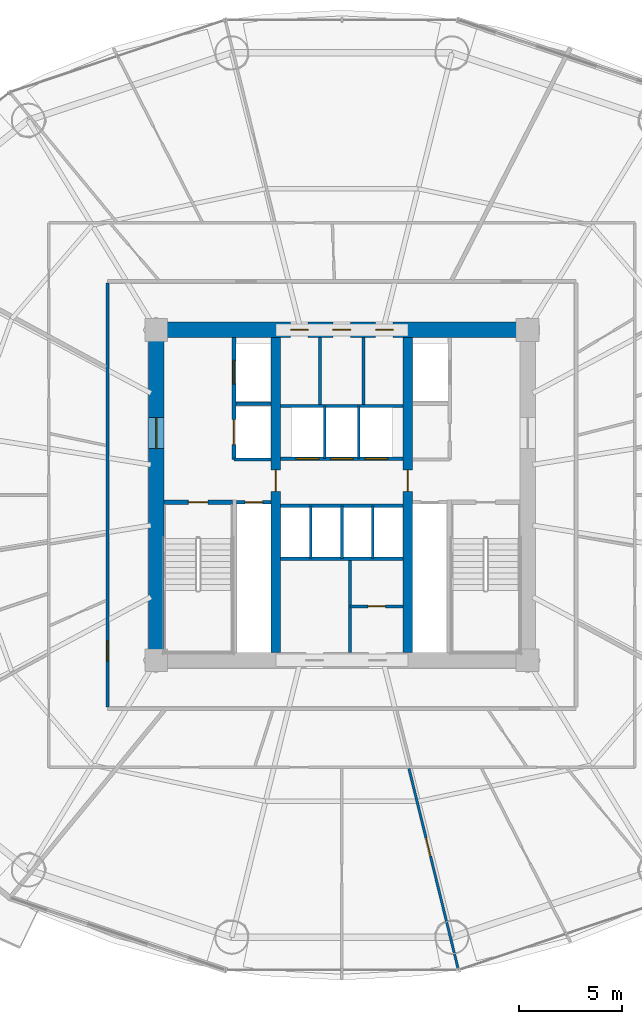
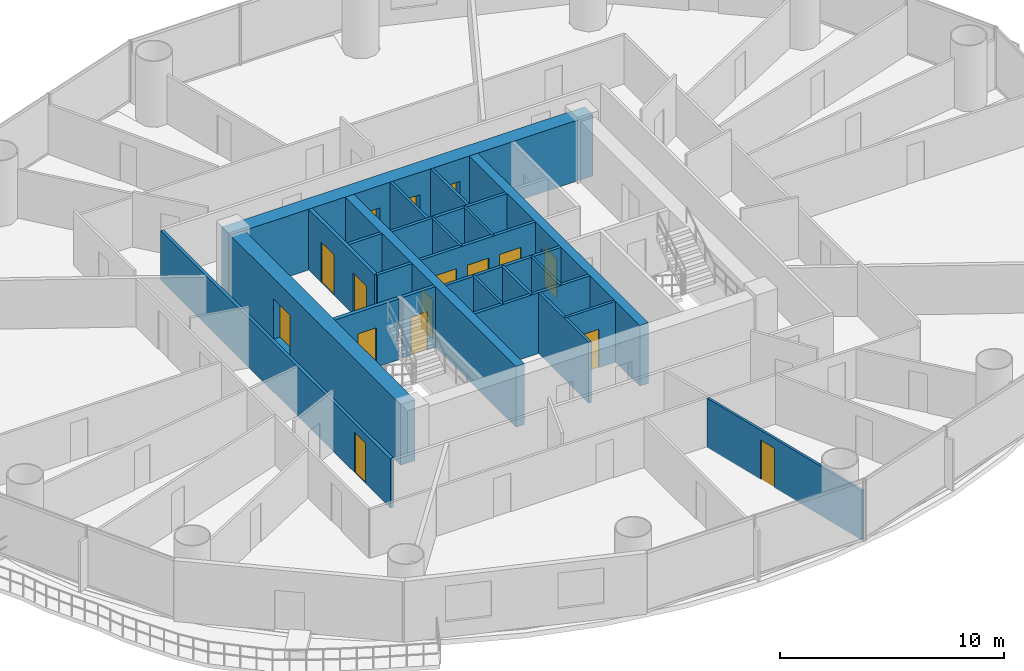
# One storey, part 23 of 29: 24 walls, 16 doors, 16 openings.
"""IFC4 building model written with IfcOpenShell, lengths in metres."""

from ifc_helpers import new_model, si_unit, direction, frame, frame_2d, origin, place, context, subcontext, project, spatial, rectangle, extrude, source, transform, mapped, material, layer, layer_set, type_object, element, fill, save


model = new_model("IFC4")

# Units and contexts
model_context = context("Model", 3, precision=1e-05, world=origin(), true_north=direction((-0.2419218956, 0.970295726276)))
body_context = subcontext(model_context, "Body", "Model", "MODEL_VIEW")
ifc_project = project(units=[si_unit("LENGTHUNIT", "METRE"), si_unit("AREAUNIT", "SQUARE_METRE"), si_unit("VOLUMEUNIT", "CUBIC_METRE"), si_unit("PLANEANGLEUNIT", "RADIAN"), si_unit("MASSUNIT", "GRAM", prefix="KILO")], contexts=[model_context])

# Site, building, storey
site_placement = place(None, origin())
site = spatial("IfcSite", under=ifc_project, at=site_placement, CompositionType="ELEMENT")
building_placement = place(site_placement, origin())
building = spatial("IfcBuilding", under=site, at=building_placement, Name="Cobrevalo Terracotta Tower", CompositionType="ELEMENT")
storey_placement = place(building_placement, frame((0.0, 0.0, 52.800048828125)))
storey = spatial("IfcBuildingStorey", under=building, at=storey_placement, Name="L13", CompositionType="ELEMENT", Elevation=52.800048828125)

# Wall, openings, doors
ifc_material_1 = material(Name="Concrete C60", Category="concrete")
ifc_layer_1 = layer(ifc_material_1, 0.75)
ifc_layer_set_1 = layer_set([ifc_layer_1], Name="Concrete C60")
wall_type_1 = type_object("IfcWallType", Name="Core shear wall 750 mm Concrete C60", PredefinedType="SHEAR", material=ifc_layer_set_1)
wall_1_placement = place(storey_placement, frame((28.625, 34.800048828125, 0.0), z_axis=(0.0, 0.0, 1.0), x_axis=(1.0, 0.0, 0.0)))
wall_1 = element("IfcWall", 1, at=wall_1_placement, inside=storey, type_object=wall_type_1, Name="L13 north core shear wall", PredefinedType="SHEAR", context=body_context, shape_type="SweptSolid", body=[
    extrude(rectangle(XDim=18.75, YDim=0.75, at=frame_2d((9.375, 0.0))), origin(), (0.0, 0.0, 1.0), 3.320068359375),
])
opening_1_placement = place(wall_1_placement, frame((6.887451171875, 0.0, 0.0)))
opening_1 = element("IfcOpeningElement", 2, at=opening_1_placement, cuts=wall_1, Name="Opening ID-22", PredefinedType="OPENING", context=body_context, shape_type="SweptSolid", body=[
    extrude(rectangle(XDim=0.85009765625, YDim=2.10009765625, at=frame_2d((0.425048828125, 1.050048828125))), frame((0.0, 0.385009765625, 0.0), z_axis=(0.0, -1.0, 0.0), x_axis=(1.0, 0.0, 0.0)), (0.0, 0.0, 1.0), 0.77001953125),
])
opening_2_placement = place(wall_1_placement, frame((8.945068359375, 0.0, 0.0)))
opening_2 = element("IfcOpeningElement", 3, at=opening_2_placement, cuts=wall_1, Name="Opening ID-07", PredefinedType="OPENING", context=body_context, shape_type="SweptSolid", body=[
    extrude(rectangle(XDim=0.860107421875, YDim=2.10009765625, at=frame_2d((0.43017578125, 1.050048828125))), frame((0.0, 0.385009765625, 0.0), z_axis=(0.0, -1.0, 0.0), x_axis=(1.0, 0.0, 0.0)), (0.0, 0.0, 1.0), 0.77001953125),
])
opening_3_placement = place(wall_1_placement, frame((11.012451171875, 0.0, 0.0)))
opening_3 = element("IfcOpeningElement", 4, at=opening_3_placement, cuts=wall_1, Name="Opening ID-22", PredefinedType="OPENING", context=body_context, shape_type="SweptSolid", body=[
    extrude(rectangle(XDim=0.85009765625, YDim=2.10009765625, at=frame_2d((0.425048828125, 1.050048828125))), frame((0.0, 0.385009765625, 0.0), z_axis=(0.0, -1.0, 0.0), x_axis=(1.0, 0.0, 0.0)), (0.0, 0.0, 1.0), 0.77001953125),
])
ifc_material_2 = material(Name="Powder-coated steel", Category="steel")
door_type_1 = type_object("IfcDoorType", Name="Riser shaft & meter closet fire access door 850x2100 EI 60", OperationType="NOTDEFINED", PredefinedType="DOOR", material=ifc_material_2)
shared_shape_1 = source(origin(), body_context, "Body", "SweptSolid", [
    extrude(rectangle(XDim=0.85009765625, YDim=2.10009765625, at=frame_2d((0.425048828125, 1.050048828125))), frame((0.0, 0.02490234375, 0.0), z_axis=(0.0, -1.0, 0.0), x_axis=(1.0, 0.0, 0.0)), (0.0, 0.0, 1.0), 0.050048828125),
])
door_1_placement = place(opening_1_placement, frame((0.85009765625, 0.0, 0.0), z_axis=(0.0, 0.0, 1.0), x_axis=(-1.0, 0.0, 0.0)))
door_1 = element("IfcDoor", 5, at=door_1_placement, inside=storey, type_object=door_type_1, Name="L13 core north service door Housekeeping Linen Store", OperationType="SINGLE_SWING_LEFT", OverallHeight=2.10009765625, OverallWidth=0.85009765625, PredefinedType="DOOR", context=body_context, shape_type="MappedRepresentation", body=[
    mapped(shared_shape_1, transform((0.0, 0.0, 0.0), scale=1.0)),
])
fill(opening_1, door_1)
door_2_placement = place(opening_3_placement, frame((0.85009765625, 0.0, 0.0), z_axis=(0.0, 0.0, 1.0), x_axis=(-1.0, 0.0, 0.0)))
door_2 = element("IfcDoor", 6, at=door_2_placement, inside=storey, type_object=door_type_1, Name="L13 core north service door Floor BMS Mechanical Plant", OperationType="SINGLE_SWING_LEFT", OverallHeight=2.10009765625, OverallWidth=0.85009765625, PredefinedType="DOOR", context=body_context, shape_type="MappedRepresentation", body=[
    mapped(shared_shape_1, transform((0.0, 0.0, 0.0), scale=1.0)),
])
fill(opening_3, door_2)
ifc_material_3 = material(Name="Fire-rated moisture-sealed timber", Category="wood")
door_type_2 = type_object("IfcDoorType", Name="Core & podium fire-rated accessible WC door 860x2100 EI 60", OperationType="NOTDEFINED", PredefinedType="DOOR", material=ifc_material_3)
shared_shape_2 = source(origin(), body_context, "Body", "SweptSolid", [
    extrude(rectangle(XDim=0.860107421875, YDim=2.10009765625, at=frame_2d((0.43017578125, 1.050048828125))), frame((0.0, 0.02490234375, 0.0), z_axis=(0.0, -1.0, 0.0), x_axis=(1.0, 0.0, 0.0)), (0.0, 0.0, 1.0), 0.050048828125),
])
door_3_placement = place(opening_2_placement, frame((0.860107421875, 0.0, 0.0), z_axis=(0.0, 0.0, 1.0), x_axis=(-1.0, 0.0, 0.0)))
door_3 = element("IfcDoor", 7, at=door_3_placement, inside=storey, type_object=door_type_2, Name="L13 core north service door Floor Service Toilet WC", OperationType="SINGLE_SWING_RIGHT", OverallHeight=2.10009765625, OverallWidth=0.860107421875, PredefinedType="DOOR", context=body_context, shape_type="MappedRepresentation", body=[
    mapped(shared_shape_2, transform((0.0, 0.0, 0.0), scale=1.0)),
])
fill(opening_2, door_3)

# Wall, opening, door
wall_2_placement = place(storey_placement, frame((29.0, 19.175048828125, 0.0), z_axis=(0.0, 0.0, 1.0), x_axis=(0.0, 1.0, 0.0)))
wall_2 = element("IfcWall", 8, at=wall_2_placement, inside=storey, type_object=wall_type_1, Name="L13 west core shear wall", PredefinedType="SHEAR", context=body_context, shape_type="SweptSolid", body=[
    extrude(rectangle(XDim=15.25, YDim=0.75, at=frame_2d((7.625, 0.0))), origin(), (0.0, 0.0, 1.0), 3.320068359375),
])
opening_4_placement = place(wall_2_placement, frame((9.875, 0.0, 0.0)))
opening_4 = element("IfcOpeningElement", 9, at=opening_4_placement, cuts=wall_2, Name="Opening ID-14", PredefinedType="OPENING", context=body_context, shape_type="SweptSolid", body=[
    extrude(rectangle(XDim=1.5, YDim=2.199951171875, at=frame_2d((0.75, 1.10009765625))), frame((0.0, 0.385009765625, 0.0), z_axis=(0.0, -1.0, 0.0), x_axis=(1.0, 0.0, 0.0)), (0.0, 0.0, 1.0), 0.77001953125),
])
ifc_material_4 = material(Name="Galvanized fire-rated steel", Category="steel")
door_type_3 = type_object("IfcDoorType", Name="Core cross-lobby double fire door 1500x2200 EI 90", OperationType="NOTDEFINED", PredefinedType="DOOR", material=ifc_material_4)
shared_shape_3 = source(origin(), body_context, "Body", "SweptSolid", [
    extrude(rectangle(XDim=1.5, YDim=2.199951171875, at=frame_2d((0.75, 1.10009765625))), frame((0.0, 0.02490234375, 0.0), z_axis=(0.0, -1.0, 0.0), x_axis=(1.0, 0.0, 0.0)), (0.0, 0.0, 1.0), 0.050048828125),
])
door_4_placement = place(opening_4_placement, origin())
door_4 = element("IfcDoor", 10, at=door_4_placement, inside=storey, type_object=door_type_3, Name="L13 west firefighting lobby entrance door", OperationType="DOUBLE_DOOR_SINGLE_SWING", OverallHeight=2.199951171875, OverallWidth=1.5, PredefinedType="DOOR", context=body_context, shape_type="MappedRepresentation", body=[
    mapped(shared_shape_3, transform((0.0, 0.0, 0.0), scale=1.0)),
])
fill(opening_4, door_4)

# Walls
ifc_material_5 = material(Name="Gypsum board on steel stud", Category="steel")
ifc_layer_2 = layer(ifc_material_5, 0.159912109375)
ifc_layer_set_2 = layer_set([ifc_layer_2], Name="Gypsum board on steel stud")
wall_type_2 = type_object("IfcWallType", Name="Fire-rated corridor acoustic partition wall 160 mm", PredefinedType="PARTITIONING", material=ifc_layer_set_2)
wall_3_placement = place(storey_placement, frame((32.860107421875, 31.219970703125, 0.0), z_axis=(0.0, 0.0, 1.0), x_axis=(1.0, 0.0, 0.0)))
element("IfcWall", 11, at=wall_3_placement, inside=storey, type_object=wall_type_2, Name="L13 interior partition IW-L13-FF1-M", PredefinedType="PARTITIONING", context=body_context, shape_type="SweptSolid", body=[
    extrude(rectangle(XDim=1.71484375, YDim=0.159912109375, at=frame_2d((0.857421875, 0.0))), origin(), (0.0, 0.0, 1.0), 3.320068359375),
])
wall_4_placement = place(storey_placement, frame((32.77001953125, 28.52001953125, 0.0), z_axis=(0.0, 0.0, 1.0), x_axis=(1.0, 0.0, 0.0)))
element("IfcWall", 12, at=wall_4_placement, inside=storey, type_object=wall_type_2, Name="L13 interior partition IW-L13-FF1-S", PredefinedType="PARTITIONING", context=body_context, shape_type="SweptSolid", body=[
    extrude(rectangle(XDim=1.804931640625, YDim=0.159912109375, at=frame_2d((0.90234375, 0.0))), origin(), (0.0, 0.0, 1.0), 3.320068359375),
])

# Wall, openings, doors
wall_5_placement = place(storey_placement, frame((35.02490234375, 28.56005859375, 0.0), z_axis=(0.0, 0.0, 1.0), x_axis=(1.0, 0.0, 0.0)))
wall_5 = element("IfcWall", 13, at=wall_5_placement, inside=storey, type_object=wall_type_2, Name="L13 interior partition IW-L13-LB-S", PredefinedType="PARTITIONING", context=body_context, shape_type="SweptSolid", body=[
    extrude(rectangle(XDim=5.9501953125, YDim=0.159912109375, at=frame_2d((2.97509765625, 0.0))), origin(), (0.0, 0.0, 1.0), 3.320068359375),
])
opening_5_placement = place(wall_5_placement, frame((0.760009765625, 0.0, 0.0)))
opening_5 = element("IfcOpeningElement", 14, at=opening_5_placement, cuts=wall_5, Name="Opening LD-01", PredefinedType="OPENING", context=body_context, shape_type="SweptSolid", body=[
    extrude(rectangle(XDim=1.10009765625, YDim=2.199951171875, at=frame_2d((0.550048828125, 1.10009765625))), frame((0.0, 0.08984375, 0.0), z_axis=(0.0, -1.0, 0.0), x_axis=(1.0, 0.0, 0.0)), (0.0, 0.0, 1.0), 0.179931640625),
])
opening_6_placement = place(wall_5_placement, frame((2.425048828125, 0.0, 0.0)))
opening_6 = element("IfcOpeningElement", 15, at=opening_6_placement, cuts=wall_5, Name="Opening LD-01", PredefinedType="OPENING", context=body_context, shape_type="SweptSolid", body=[
    extrude(rectangle(XDim=1.10009765625, YDim=2.199951171875, at=frame_2d((0.550048828125, 1.10009765625))), frame((0.0, 0.08984375, 0.0), z_axis=(0.0, -1.0, 0.0), x_axis=(1.0, 0.0, 0.0)), (0.0, 0.0, 1.0), 0.179931640625),
])
opening_7_placement = place(wall_5_placement, frame((4.090087890625, 0.0, 0.0)))
opening_7 = element("IfcOpeningElement", 16, at=opening_7_placement, cuts=wall_5, Name="Opening LD-01", PredefinedType="OPENING", context=body_context, shape_type="SweptSolid", body=[
    extrude(rectangle(XDim=1.10009765625, YDim=2.199951171875, at=frame_2d((0.550048828125, 1.10009765625))), frame((0.0, 0.08984375, 0.0), z_axis=(0.0, -1.0, 0.0), x_axis=(1.0, 0.0, 0.0)), (0.0, 0.0, 1.0), 0.179931640625),
])
ifc_material_6 = material(Name="Brushed stainless steel", Category="steel")
door_type_4 = type_object("IfcDoorType", Name="Passenger lift landing bi-parting sliding door 1100x2200 EI 90", OperationType="DOUBLE_DOOR_SLIDING", PredefinedType="DOOR", material=ifc_material_6)
shared_shape_4 = source(origin(), body_context, "Body", "SweptSolid", [
    extrude(rectangle(XDim=1.10009765625, YDim=2.199951171875, at=frame_2d((0.550048828125, 1.10009765625))), frame((0.0, 0.02490234375, 0.0), z_axis=(0.0, -1.0, 0.0), x_axis=(1.0, 0.0, 0.0)), (0.0, 0.0, 1.0), 0.050048828125),
])
door_5_placement = place(opening_5_placement, origin())
door_5 = element("IfcDoor", 17, at=door_5_placement, inside=storey, type_object=door_type_4, Name="L13 lift landing door PL-L1", OperationType="DOUBLE_DOOR_SLIDING", OverallHeight=2.199951171875, OverallWidth=1.10009765625, PredefinedType="DOOR", context=body_context, shape_type="MappedRepresentation", body=[
    mapped(shared_shape_4, transform((0.0, 0.0, 0.0), scale=1.0)),
])
fill(opening_5, door_5)
door_6_placement = place(opening_6_placement, origin())
door_6 = element("IfcDoor", 18, at=door_6_placement, inside=storey, type_object=door_type_4, Name="L13 lift landing door PL-L2", OperationType="DOUBLE_DOOR_SLIDING", OverallHeight=2.199951171875, OverallWidth=1.10009765625, PredefinedType="DOOR", context=body_context, shape_type="MappedRepresentation", body=[
    mapped(shared_shape_4, transform((0.0, 0.0, 0.0), scale=1.0)),
])
fill(opening_6, door_6)
door_7_placement = place(opening_7_placement, origin())
door_7 = element("IfcDoor", 19, at=door_7_placement, inside=storey, type_object=door_type_4, Name="L13 lift landing door PL-L3", OperationType="DOUBLE_DOOR_SLIDING", OverallHeight=2.199951171875, OverallWidth=1.10009765625, PredefinedType="DOOR", context=body_context, shape_type="MappedRepresentation", body=[
    mapped(shared_shape_4, transform((0.0, 0.0, 0.0), scale=1.0)),
])
fill(opening_7, door_7)

# Walls
for number, where, z_axis, x_axis, name in (
    (20, (35.02490234375, 31.1201171875, 0.0), (0.0, 0.0, 1.0), (1.0, 0.0, 0.0), "L13 interior partition IW-L13-LB-N"),
    (21, (35.02490234375, 26.280029296875, 0.0), (0.0, 0.0, 1.0), (1.0, 0.0, 0.0), "L13 interior partition IW-L13-MB-N"),
    (22, (35.02490234375, 23.719970703125, 0.0), (0.0, 0.0, 1.0), (1.0, 0.0, 0.0), "L13 interior partition IW-L13-MB-S"),
):
    element("IfcWall", number, at=place(storey_placement, frame(where, z_axis=z_axis, x_axis=x_axis)), inside=storey, type_object=wall_type_2, Name=name, PredefinedType="PARTITIONING", context=body_context, shape_type="SweptSolid", body=[
        extrude(rectangle(XDim=5.9501953125, YDim=0.159912109375, at=frame_2d((2.97509765625, 0.0))), origin(), (0.0, 0.0, 1.0), 3.320068359375),
    ])

# Wall, opening, door
wall_6_placement = place(storey_placement, frame((26.64501953125, 16.52490234375, 0.0), z_axis=(0.0, 0.0, 1.0), x_axis=(0.0, 1.0, 0.0)))
wall_6 = element("IfcWall", 23, at=wall_6_placement, inside=storey, type_object=wall_type_2, Name="L13 interior partition IW-L13-COR-W", PredefinedType="PARTITIONING", context=body_context, shape_type="SweptSolid", body=[
    extrude(rectangle(XDim=20.550048828125, YDim=0.159912109375, at=frame_2d((10.27490234375, 0.0))), origin(), (0.0, 0.0, 1.0), 2.68798828125),
])
opening_8_placement = place(wall_6_placement, frame((2.224365234375, 0.0, 0.0)))
opening_8 = element("IfcOpeningElement", 24, at=opening_8_placement, cuts=wall_6, Name="Opening ID-05", PredefinedType="OPENING", context=body_context, shape_type="SweptSolid", body=[
    extrude(rectangle(XDim=0.97998046875, YDim=2.199951171875, at=frame_2d((0.489990234375, 1.10009765625))), frame((0.0, 0.08984375, 0.0), z_axis=(0.0, -1.0, 0.0), x_axis=(1.0, 0.0, 0.0)), (0.0, 0.0, 1.0), 0.179931640625),
])
ifc_material_7 = material(Name="Solid hardwood timber", Category="wood")
door_type_5 = type_object("IfcDoorType", Name="Residence entrance fire-rated acoustic timber door 980x2200 EI 60", OperationType="NOTDEFINED", PredefinedType="DOOR", material=ifc_material_7)
shared_shape_5 = source(origin(), body_context, "Body", "SweptSolid", [
    extrude(rectangle(XDim=0.97998046875, YDim=2.199951171875, at=frame_2d((0.489990234375, 1.10009765625))), frame((0.0, 0.02490234375, 0.0), z_axis=(0.0, -1.0, 0.0), x_axis=(1.0, 0.0, 0.0)), (0.0, 0.0, 1.0), 0.050048828125),
])
door_8_placement = place(opening_8_placement, origin())
door_8 = element("IfcDoor", 25, at=door_8_placement, inside=storey, type_object=door_type_5, Name="Flat L13C fire-rated apartment entrance door", OperationType="SINGLE_SWING_LEFT", OverallHeight=2.199951171875, OverallWidth=0.97998046875, PredefinedType="DOOR", context=body_context, shape_type="MappedRepresentation", body=[
    mapped(shared_shape_5, transform((0.0, 0.0, 0.0), scale=1.0)),
])
fill(opening_8, door_8)

ifc_layer_3 = layer(ifc_material_5, 0.179931640625)
ifc_layer_set_3 = layer_set([ifc_layer_3], Name="Gypsum board on steel stud")
wall_type_3 = type_object("IfcWallType", Name="Fire-rated shaft & lobby acoustic partition wall 180 mm", PredefinedType="PARTITIONING", material=ifc_layer_set_3)
wall_7_placement = place(storey_placement, frame((32.89990234375, 26.449951171875, 0.0), z_axis=(0.0, 0.0, 1.0), x_axis=(1.0, 0.0, 0.0)))
wall_7 = element("IfcWall", 26, at=wall_7_placement, inside=storey, type_object=wall_type_3, Name="L13 interior partition IW-L13-RSW-N", PredefinedType="PARTITIONING", context=body_context, shape_type="SweptSolid", body=[
    extrude(rectangle(XDim=1.675048828125, YDim=0.179931640625, at=frame_2d((0.83740234375, 0.0))), origin(), (0.0, 0.0, 1.0), 3.320068359375),
])
opening_9_placement = place(wall_7_placement, frame((0.41259765625, 0.0, 0.0)))
opening_9 = element("IfcOpeningElement", 27, at=opening_9_placement, cuts=wall_7, Name="Opening ID-22", PredefinedType="OPENING", context=body_context, shape_type="SweptSolid", body=[
    extrude(rectangle(XDim=0.85009765625, YDim=2.10009765625, at=frame_2d((0.425048828125, 1.050048828125))), frame((0.0, 0.10009765625, 0.0), z_axis=(0.0, -1.0, 0.0), x_axis=(1.0, 0.0, 0.0)), (0.0, 0.0, 1.0), 0.199951171875),
])
door_9_placement = place(opening_9_placement, origin())
door_9 = element("IfcDoor", 28, at=door_9_placement, inside=storey, type_object=door_type_1, Name="L13 riser access door RSW", OperationType="SINGLE_SWING_LEFT", OverallHeight=2.10009765625, OverallWidth=0.85009765625, PredefinedType="DOOR", context=body_context, shape_type="MappedRepresentation", body=[
    mapped(shared_shape_1, transform((0.0, 0.0, 0.0), scale=1.0)),
])
fill(opening_9, door_9)

# Wall, openings, doors
wall_8_placement = place(storey_placement, frame((32.77001953125, 28.52001953125, 0.0), z_axis=(0.0, 0.0, 1.0), x_axis=(0.0, 1.0, 0.0)))
wall_8 = element("IfcWall", 29, at=wall_8_placement, inside=storey, type_object=wall_type_3, Name="L13 interior partition IW-L13-FF1-W", PredefinedType="PARTITIONING", context=body_context, shape_type="SweptSolid", body=[
    extrude(rectangle(XDim=5.905029296875, YDim=0.179931640625, at=frame_2d((2.95263671875, 0.0))), origin(), (0.0, 0.0, 1.0), 3.320068359375),
])
opening_10_placement = place(wall_8_placement, frame((3.655029296875, 0.0, 0.0)))
opening_10 = element("IfcOpeningElement", 30, at=opening_10_placement, cuts=wall_8, Name="Opening LD-02", PredefinedType="OPENING", context=body_context, shape_type="SweptSolid", body=[
    extrude(rectangle(XDim=1.14990234375, YDim=2.199951171875, at=frame_2d((0.574951171875, 1.10009765625))), frame((0.0, 0.10009765625, 0.0), z_axis=(0.0, -1.0, 0.0), x_axis=(1.0, 0.0, 0.0)), (0.0, 0.0, 1.0), 0.199951171875),
])
opening_11_placement = place(wall_8_placement, frame((0.72998046875, 0.0, 0.0)))
opening_11 = element("IfcOpeningElement", 31, at=opening_11_placement, cuts=wall_8, Name="Opening LD-03", PredefinedType="OPENING", context=body_context, shape_type="SweptSolid", body=[
    extrude(rectangle(XDim=1.199951171875, YDim=2.25, at=frame_2d((0.60009765625, 1.125))), frame((0.0, 0.10009765625, 0.0), z_axis=(0.0, -1.0, 0.0), x_axis=(1.0, 0.0, 0.0)), (0.0, 0.0, 1.0), 0.199951171875),
])
door_type_6 = type_object("IfcDoorType", Name="Firefighting lift landing bi-parting sliding door 1150x2200 EI 120", OperationType="DOUBLE_DOOR_SLIDING", PredefinedType="DOOR", material=ifc_material_6)
shared_shape_6 = source(origin(), body_context, "Body", "SweptSolid", [
    extrude(rectangle(XDim=1.14990234375, YDim=2.199951171875, at=frame_2d((0.574951171875, 1.10009765625))), frame((0.0, 0.02490234375, 0.0), z_axis=(0.0, -1.0, 0.0), x_axis=(1.0, 0.0, 0.0)), (0.0, 0.0, 1.0), 0.050048828125),
])
door_10_placement = place(opening_10_placement, origin())
door_10 = element("IfcDoor", 32, at=door_10_placement, inside=storey, type_object=door_type_6, Name="L13 lift landing door FF-1", OperationType="DOUBLE_DOOR_SLIDING", OverallHeight=2.199951171875, OverallWidth=1.14990234375, PredefinedType="DOOR", context=body_context, shape_type="MappedRepresentation", body=[
    mapped(shared_shape_6, transform((0.0, 0.0, 0.0), scale=1.0)),
])
fill(opening_10, door_10)
door_type_7 = type_object("IfcDoorType", Name="Service lift landing bi-parting sliding door 1200x2250 EI 120", OperationType="DOUBLE_DOOR_SLIDING", PredefinedType="DOOR", material=ifc_material_6)
shared_shape_7 = source(origin(), body_context, "Body", "SweptSolid", [
    extrude(rectangle(XDim=1.199951171875, YDim=2.25, at=frame_2d((0.60009765625, 1.125))), frame((0.0, 0.02490234375, 0.0), z_axis=(0.0, -1.0, 0.0), x_axis=(1.0, 0.0, 0.0)), (0.0, 0.0, 1.0), 0.050048828125),
])
door_11_placement = place(opening_11_placement, origin())
door_11 = element("IfcDoor", 33, at=door_11_placement, inside=storey, type_object=door_type_7, Name="L13 lift landing door SV-1", OperationType="DOUBLE_DOOR_SLIDING", OverallHeight=2.25, OverallWidth=1.199951171875, PredefinedType="DOOR", context=body_context, shape_type="MappedRepresentation", body=[
    mapped(shared_shape_7, transform((0.0, 0.0, 0.0), scale=1.0)),
])
fill(opening_11, door_11)

# Walls
ifc_material_8 = material(Name="Autoclaved aerated concrete block", Category="concrete")
ifc_layer_4 = layer(ifc_material_8, 0.1201171875)
ifc_layer_set_4 = layer_set([ifc_layer_4], Name="Autoclaved aerated concrete block")
wall_type_4 = type_object("IfcWallType", Name="Fire-rated wet-room & core service partition 120 mm", PredefinedType="PARTITIONING", material=ifc_layer_set_4)
for number, where, z_axis, x_axis, name in (
    (34, (37.169921875, 28.56005859375, 0.0), (0.0, 0.0, 1.0), (0.0, 1.0, 0.0), "L13 interior partition IW-L13-LB-D1"),
    (35, (38.830078125, 28.56005859375, 0.0), (0.0, 0.0, 1.0), (0.0, 1.0, 0.0), "L13 interior partition IW-L13-LB-D2"),
    (36, (36.5, 23.719970703125, 0.0), (0.0, 0.0, 1.0), (0.0, 1.0, 0.0), "L13 interior partition IW-L13-MB-D1"),
    (37, (39.5, 23.719970703125, 0.0), (0.0, 0.0, 1.0), (0.0, 1.0, 0.0), "L13 interior partition IW-L13-MB-D3"),
):
    element("IfcWall", number, at=place(storey_placement, frame(where, z_axis=z_axis, x_axis=x_axis)), inside=storey, type_object=wall_type_4, Name=name, PredefinedType="PARTITIONING", context=body_context, shape_type="SweptSolid", body=[
        extrude(rectangle(XDim=2.56005859375, YDim=0.1201171875, at=frame_2d((1.280029296875, 0.0))), origin(), (0.0, 0.0, 1.0), 3.320068359375),
    ])

# Wall, opening, door
ifc_material_9 = material(Name="Concrete C55", Category="concrete")
ifc_layer_5 = layer(ifc_material_9, 0.449951171875)
ifc_layer_set_5 = layer_set([ifc_layer_5], Name="Concrete C55")
wall_type_5 = type_object("IfcWallType", Name="Internal core shear web wall 450 mm Concrete C55", PredefinedType="SHEAR", material=ifc_layer_set_5)
wall_9_placement = place(storey_placement, frame((34.800048828125, 19.175048828125, 0.0), z_axis=(0.0, 0.0, 1.0), x_axis=(0.0, 1.0, 0.0)))
wall_9 = element("IfcWall", 38, at=wall_9_placement, inside=storey, type_object=wall_type_5, Name="L13 internal core shear wall WEB-W", PredefinedType="SHEAR", context=body_context, shape_type="SweptSolid", body=[
    extrude(rectangle(XDim=15.25, YDim=0.449951171875, at=frame_2d((7.625, 0.0))), origin(), (0.0, 0.0, 1.0), 3.320068359375),
])
opening_12_placement = place(wall_9_placement, frame((7.800048828125, 0.0, 0.0)))
opening_12 = element("IfcOpeningElement", 39, at=opening_12_placement, cuts=wall_9, Name="Opening ID-11", PredefinedType="OPENING", context=body_context, shape_type="SweptSolid", body=[
    extrude(rectangle(XDim=1.050048828125, YDim=2.14990234375, at=frame_2d((0.52490234375, 1.074951171875))), frame((0.0, 0.23486328125, 0.0), z_axis=(0.0, -1.0, 0.0), x_axis=(1.0, 0.0, 0.0)), (0.0, 0.0, 1.0), 0.469970703125),
])
door_type_8 = type_object("IfcDoorType", Name="Core concourse cross fire door 1050x2150 EI 90", OperationType="NOTDEFINED", PredefinedType="DOOR", material=ifc_material_4)
shared_shape_8 = source(origin(), body_context, "Body", "SweptSolid", [
    extrude(rectangle(XDim=1.050048828125, YDim=2.14990234375, at=frame_2d((0.52490234375, 1.074951171875))), frame((0.0, 0.02490234375, 0.0), z_axis=(0.0, -1.0, 0.0), x_axis=(1.0, 0.0, 0.0)), (0.0, 0.0, 1.0), 0.050048828125),
])
door_12_placement = place(opening_12_placement, origin())
door_12 = element("IfcDoor", 40, at=door_12_placement, inside=storey, type_object=door_type_8, Name="L13 west core concourse cross door", OperationType="SINGLE_SWING_LEFT", OverallHeight=2.14990234375, OverallWidth=1.050048828125, PredefinedType="DOOR", context=body_context, shape_type="MappedRepresentation", body=[
    mapped(shared_shape_8, transform((0.0, 0.0, 0.0), scale=1.0)),
])
fill(opening_12, door_12)

wall_10_placement = place(storey_placement, frame((41.199951171875, 19.175048828125, 0.0), z_axis=(0.0, 0.0, 1.0), x_axis=(0.0, 1.0, 0.0)))
wall_10 = element("IfcWall", 41, at=wall_10_placement, inside=storey, type_object=wall_type_5, Name="L13 internal core shear wall WEB-E", PredefinedType="SHEAR", context=body_context, shape_type="SweptSolid", body=[
    extrude(rectangle(XDim=15.25, YDim=0.449951171875, at=frame_2d((7.625, 0.0))), origin(), (0.0, 0.0, 1.0), 3.320068359375),
])
opening_13_placement = place(wall_10_placement, frame((7.800048828125, 0.0, 0.0)))
opening_13 = element("IfcOpeningElement", 42, at=opening_13_placement, cuts=wall_10, Name="Opening ID-11", PredefinedType="OPENING", context=body_context, shape_type="SweptSolid", body=[
    extrude(rectangle(XDim=1.050048828125, YDim=2.14990234375, at=frame_2d((0.52490234375, 1.074951171875))), frame((0.0, 0.23486328125, 0.0), z_axis=(0.0, -1.0, 0.0), x_axis=(1.0, 0.0, 0.0)), (0.0, 0.0, 1.0), 0.469970703125),
])
door_13_placement = place(opening_13_placement, frame((1.050048828125, 0.0, 0.0), z_axis=(0.0, 0.0, 1.0), x_axis=(-1.0, 0.0, 0.0)))
door_13 = element("IfcDoor", 43, at=door_13_placement, inside=storey, type_object=door_type_8, Name="L13 east core concourse cross door", OperationType="SINGLE_SWING_RIGHT", OverallHeight=2.14990234375, OverallWidth=1.050048828125, PredefinedType="DOOR", context=body_context, shape_type="MappedRepresentation", body=[
    mapped(shared_shape_8, transform((0.0, 0.0, 0.0), scale=1.0)),
])
fill(opening_13, door_13)

# Walls
ifc_layer_6 = layer(ifc_material_8, 0.139892578125)
ifc_layer_set_6 = layer_set([ifc_layer_6], Name="Autoclaved aerated concrete block")
wall_type_6 = type_object("IfcWallType", Name="Moisture-resistant wet-room & core service partition 140 mm", PredefinedType="PARTITIONING", material=ifc_layer_set_6)
for number, where, z_axis, x_axis, name in (
    (44, (36.949951171875, 31.199951171875, 0.0), (0.0, 0.0, 1.0), (0.0, 1.0, 0.0), "L13 interior partition IW-L13-KVN-A"),
    (45, (39.050048828125, 31.199951171875, 0.0), (0.0, 0.0, 1.0), (0.0, 1.0, 0.0), "L13 interior partition IW-L13-KVN-B"),
):
    element("IfcWall", number, at=place(storey_placement, frame(where, z_axis=z_axis, x_axis=x_axis)), inside=storey, type_object=wall_type_6, Name=name, PredefinedType="PARTITIONING", context=body_context, shape_type="SweptSolid", body=[
        extrude(rectangle(XDim=3.22509765625, YDim=0.139892578125, at=frame_2d((1.612548828125, 0.0))), origin(), (0.0, 0.0, 1.0), 3.320068359375),
    ])
wall_11_placement = place(storey_placement, frame((38.0, 23.719970703125, 0.0), z_axis=(0.0, 0.0, 1.0), x_axis=(0.0, 1.0, 0.0)))
element("IfcWall", 46, at=wall_11_placement, inside=storey, type_object=wall_type_6, Name="L13 interior partition IW-L13-MB-D2", PredefinedType="PARTITIONING", context=body_context, shape_type="SweptSolid", body=[
    extrude(rectangle(XDim=2.56005859375, YDim=0.139892578125, at=frame_2d((1.280029296875, 0.0))), origin(), (0.0, 0.0, 1.0), 3.320068359375),
])
wall_12_placement = place(storey_placement, frame((38.39990234375, 19.175048828125, 0.0), z_axis=(0.0, 0.0, 1.0), x_axis=(0.0, 1.0, 0.0)))
element("IfcWall", 47, at=wall_12_placement, inside=storey, type_object=wall_type_6, Name="L13 interior partition IW-L13-KVS-L1", PredefinedType="PARTITIONING", context=body_context, shape_type="SweptSolid", body=[
    extrude(rectangle(XDim=4.46484375, YDim=0.139892578125, at=frame_2d((2.232421875, 0.0))), origin(), (0.0, 0.0, 1.0), 3.320068359375),
])

# Wall, opening, door
wall_13_placement = place(storey_placement, frame((38.39990234375, 21.407470703125, 0.0), z_axis=(0.0, 0.0, 1.0), x_axis=(1.0, 0.0, 0.0)))
wall_13 = element("IfcWall", 48, at=wall_13_placement, inside=storey, type_object=wall_type_6, Name="L13 interior partition IW-L13-KVS-L2", PredefinedType="PARTITIONING", context=body_context, shape_type="SweptSolid", body=[
    extrude(rectangle(XDim=2.5751953125, YDim=0.139892578125, at=frame_2d((1.28759765625, 0.0))), origin(), (0.0, 0.0, 1.0), 3.320068359375),
])
opening_14_placement = place(wall_13_placement, frame((0.862548828125, 0.0, 0.0)))
opening_14 = element("IfcOpeningElement", 49, at=opening_14_placement, cuts=wall_13, Name="Opening ID-22", PredefinedType="OPENING", context=body_context, shape_type="SweptSolid", body=[
    extrude(rectangle(XDim=0.85009765625, YDim=2.10009765625, at=frame_2d((0.425048828125, 1.050048828125))), frame((0.0, 0.080078125, 0.0), z_axis=(0.0, -1.0, 0.0), x_axis=(1.0, 0.0, 0.0)), (0.0, 0.0, 1.0), 0.159912109375),
])
door_14_placement = place(opening_14_placement, origin())
door_14 = element("IfcDoor", 50, at=door_14_placement, inside=storey, type_object=door_type_1, Name="L13 core KVS-L2 inner door", OperationType="SINGLE_SWING_LEFT", OverallHeight=2.10009765625, OverallWidth=0.85009765625, PredefinedType="DOOR", context=body_context, shape_type="MappedRepresentation", body=[
    mapped(shared_shape_1, transform((0.0, 0.0, 0.0), scale=1.0)),
])
fill(opening_14, door_14)

ifc_layer_7 = layer(ifc_material_5, 0.1201171875)
ifc_layer_set_7 = layer_set([ifc_layer_7], Name="Gypsum board on steel stud")
wall_type_7 = type_object("IfcWallType", Name="Residential internal acoustic stud partition 120 mm", PredefinedType="PARTITIONING", material=ifc_layer_set_7)
wall_14_placement = place(storey_placement, frame((41.253662109375, 13.544677734375, 0.0), z_axis=(0.0, 0.0, 1.0), x_axis=(0.238391877067, -0.971169044476, 0.0)))
wall_14 = element("IfcWall", 51, at=wall_14_placement, inside=storey, type_object=wall_type_7, Name="L13 interior partition IW-L13-U4-ORAD2M1", PredefinedType="PARTITIONING", context=body_context, shape_type="SweptSolid", body=[
    extrude(rectangle(XDim=9.972900390625, YDim=0.1201171875, at=frame_2d((4.986328125, 0.0))), origin(), (0.0, 0.0, 1.0), 2.68798828125),
])
opening_15_placement = place(wall_14_placement, frame((3.4619140625, 0.0, 0.0)))
opening_15 = element("IfcOpeningElement", 52, at=opening_15_placement, cuts=wall_14, Name="Opening ID-12", PredefinedType="OPENING", context=body_context, shape_type="SweptSolid", body=[
    extrude(rectangle(XDim=0.89990234375, YDim=2.14990234375, at=frame_2d((0.449951171875, 1.074951171875))), frame((0.0, 0.070068359375, 0.0), z_axis=(0.0, -1.0, 0.0), x_axis=(1.0, 0.0, 0.0)), (0.0, 0.0, 1.0), 0.14013671875),
])
ifc_material_10 = material(Name="Engineered timber", Category="wood")
door_type_9 = type_object("IfcDoorType", Name="Internal residence & suite timber door 900x2150", OperationType="NOTDEFINED", PredefinedType="DOOR", material=ifc_material_10)
shared_shape_9 = source(origin(), body_context, "Body", "SweptSolid", [
    extrude(rectangle(XDim=0.89990234375, YDim=2.14990234375, at=frame_2d((0.449951171875, 1.074951171875))), frame((0.0, 0.02490234375, 0.0), z_axis=(0.0, -1.0, 0.0), x_axis=(1.0, 0.0, 0.0)), (0.0, 0.0, 1.0), 0.050048828125),
])
door_15_placement = place(opening_15_placement, frame((0.89990234375, 0.0, 0.0), z_axis=(0.0, 0.0, 1.0), x_axis=(-1.0, 0.0, 0.0)))
door_15 = element("IfcDoor", 53, at=door_15_placement, inside=storey, type_object=door_type_9, Name="Flat L13D Master Bedroom internal door", OperationType="SINGLE_SWING_LEFT", OverallHeight=2.14990234375, OverallWidth=0.89990234375, PredefinedType="DOOR", context=body_context, shape_type="MappedRepresentation", body=[
    mapped(shared_shape_9, transform((0.0, 0.0, 0.0), scale=1.0)),
])
fill(opening_15, door_15)

ifc_material_11 = material(Name="Concrete C50", Category="concrete")
ifc_layer_8 = layer(ifc_material_11, 0.199951171875)
ifc_layer_set_8 = layer_set([ifc_layer_8], Name="Concrete C50")
wall_type_8 = type_object("IfcWallType", Name="Structural core & podium stair-shaft RC wall 200 mm Concrete C50", PredefinedType="SOLIDWALL", material=ifc_layer_set_8)
wall_15_placement = place(storey_placement, frame((29.375, 26.449951171875, 0.0), z_axis=(0.0, 0.0, 1.0), x_axis=(1.0, 0.0, 0.0)))
wall_15 = element("IfcWall", 54, at=wall_15_placement, inside=storey, type_object=wall_type_8, Name="L13 ST-1 north structural shaft wall", PredefinedType="SOLIDWALL", context=body_context, shape_type="SweptSolid", body=[
    extrude(rectangle(XDim=3.320068359375, YDim=0.199951171875, at=frame_2d((1.66015625, 0.0))), origin(), (0.0, 0.0, 1.0), 3.320068359375),
])
opening_16_placement = place(wall_15_placement, frame((1.18505859375, 0.0, 0.0)))
opening_16 = element("IfcOpeningElement", 55, at=opening_16_placement, cuts=wall_15, Name="Opening ID-04", PredefinedType="OPENING", context=body_context, shape_type="SweptSolid", body=[
    extrude(rectangle(XDim=0.949951171875, YDim=2.14990234375, at=frame_2d((0.47509765625, 1.074951171875))), frame((0.0, 0.10986328125, 0.0), z_axis=(0.0, -1.0, 0.0), x_axis=(1.0, 0.0, 0.0)), (0.0, 0.0, 1.0), 0.219970703125),
])
door_type_10 = type_object("IfcDoorType", Name="Stair & firefighting lobby fire door 950x2150 EI 90", OperationType="NOTDEFINED", PredefinedType="DOOR", material=ifc_material_4)
shared_shape_10 = source(origin(), body_context, "Body", "SweptSolid", [
    extrude(rectangle(XDim=0.949951171875, YDim=2.14990234375, at=frame_2d((0.47509765625, 1.074951171875))), frame((0.0, 0.02490234375, 0.0), z_axis=(0.0, -1.0, 0.0), x_axis=(1.0, 0.0, 0.0)), (0.0, 0.0, 1.0), 0.050048828125),
])
door_16_placement = place(opening_16_placement, origin())
door_16 = element("IfcDoor", 56, at=door_16_placement, inside=storey, type_object=door_type_10, Name="L13 protected stair ST1 fire door", OperationType="SINGLE_SWING_LEFT", OverallHeight=2.14990234375, OverallWidth=0.949951171875, PredefinedType="DOOR", context=body_context, shape_type="MappedRepresentation", body=[
    mapped(shared_shape_10, transform((0.0, 0.0, 0.0), scale=1.0)),
])
fill(opening_16, door_16)

save(model, "model.ifc")
